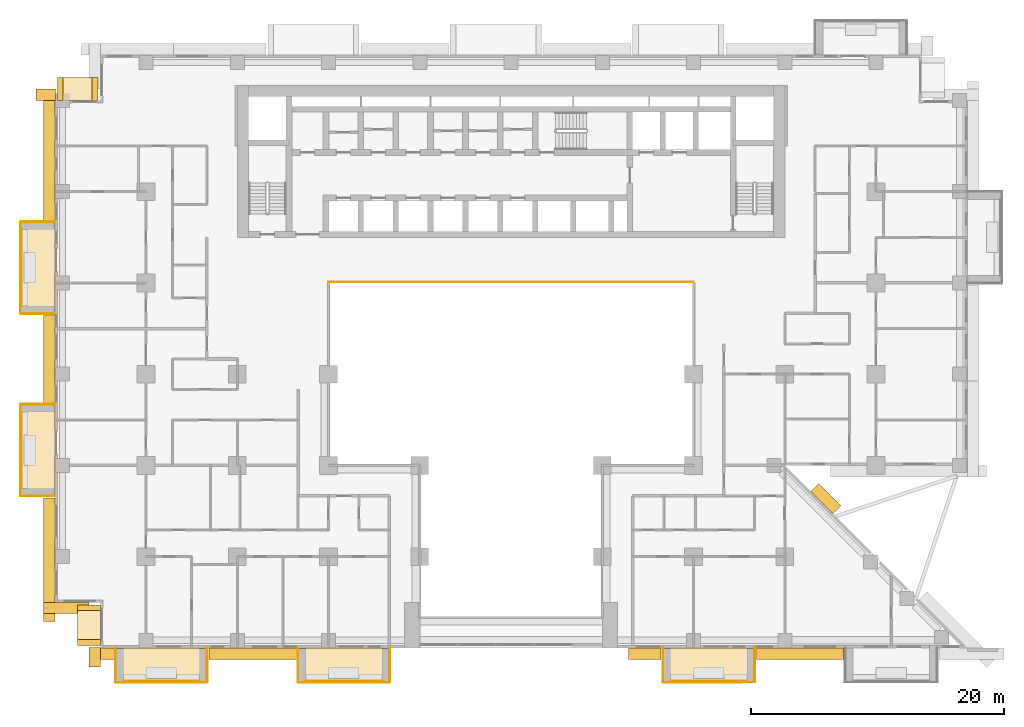
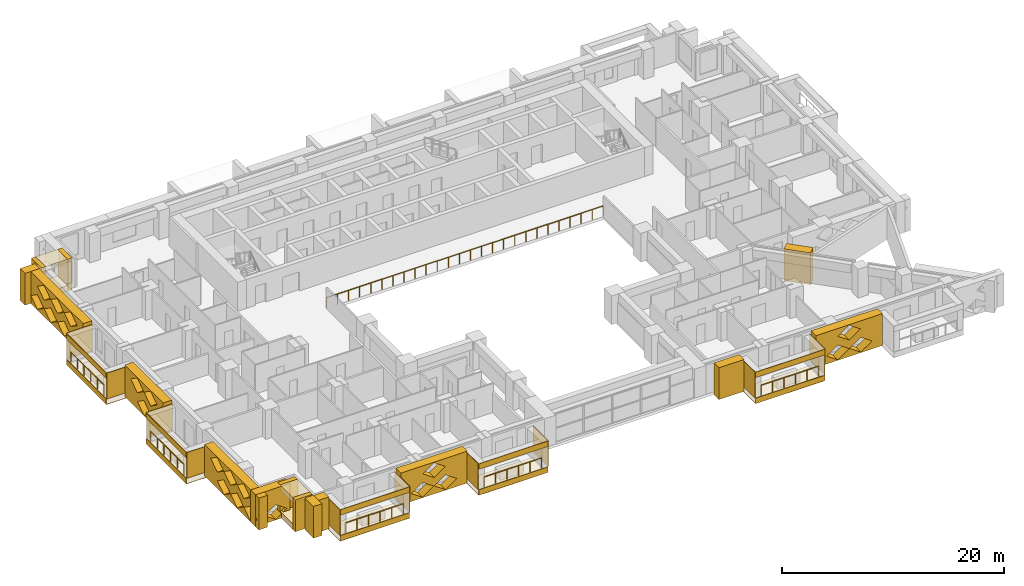
# One storey, part 14 of 17: 44 coverings, 6 railings.
"""IFC4 building model written with IfcOpenShell, lengths in metres."""

from ifc_helpers import new_model, si_unit, direction, frame, origin, origin_2d, place, context, subcontext, project, spatial, polyline, circle, outline, extrude, material, layer, layer_set, type_object, element, save


model = new_model("IFC4")

# Units and contexts
model_context = context("Model", 3, precision=1e-05, world=origin(), true_north=direction((0.0, 1.0)))
body_context = subcontext(model_context, "Body", "Model", "MODEL_VIEW")
ifc_project = project(units=[si_unit("LENGTHUNIT", "METRE"), si_unit("AREAUNIT", "SQUARE_METRE"), si_unit("VOLUMEUNIT", "CUBIC_METRE"), si_unit("PLANEANGLEUNIT", "RADIAN"), si_unit("MASSUNIT", "GRAM", prefix="KILO")], contexts=[model_context])

# Site, building, storey
site_placement = place(None, origin())
site = spatial("IfcSite", under=ifc_project, at=site_placement, CompositionType="ELEMENT")
building_placement = place(site_placement, origin())
building = spatial("IfcBuilding", under=site, at=building_placement, Name="Saffron Iwan Residences", CompositionType="ELEMENT")
storey_placement = place(building_placement, frame((0.0, 0.0, 41.0)))
storey = spatial("IfcBuildingStorey", under=building, at=storey_placement, Name="L09", CompositionType="ELEMENT", Elevation=41.0)

# Railings
ifc_material_1 = material(Name="Stainless steel 316", Category="steel")
railing_type_1 = type_object("IfcRailingType", Name="Atrium guard 1150", PredefinedType="GUARDRAIL", material=ifc_material_1)
railing_placement = place(storey_placement, frame((36.0, 62.47509765625, 0.0)))
element("IfcRailing", 1, at=railing_placement, inside=storey, type_object=railing_type_1, Name="Atrium guard L09", PredefinedType="GUARDRAIL", context=body_context, shape_type="SweptSolid", body=[
    extrude(circle(Radius=0.02392578125, at=origin_2d()), frame((0.0, 0.0, 1.1259765625), z_axis=(1.0, 0.0, 0.0), x_axis=(0.0, 1.0, 0.0)), (0.0, 0.0, 1.0), 28.800048828125),
    extrude(circle(Radius=0.02099609375, at=origin_2d()), origin(), (0.0, 0.0, 1.0), 1.101806640625),
    extrude(circle(Radius=0.02099609375, at=origin_2d()), frame((1.152099609375, 0.0, 0.0)), (0.0, 0.0, 1.0), 1.101806640625),
    extrude(circle(Radius=0.02099609375, at=origin_2d()), frame((2.303955078125, 0.0, 0.0)), (0.0, 0.0, 1.0), 1.101806640625),
    extrude(circle(Radius=0.02099609375, at=origin_2d()), frame((3.4560546875, 0.0, 0.0)), (0.0, 0.0, 1.0), 1.101806640625),
    extrude(circle(Radius=0.02099609375, at=origin_2d()), frame((4.60791015625, 0.0, 0.0)), (0.0, 0.0, 1.0), 1.101806640625),
    extrude(circle(Radius=0.02099609375, at=origin_2d()), frame((5.760009765625, 0.0, 0.0)), (0.0, 0.0, 1.0), 1.101806640625),
    extrude(circle(Radius=0.02099609375, at=origin_2d()), frame((6.912109375, 0.0, 0.0)), (0.0, 0.0, 1.0), 1.101806640625),
    extrude(circle(Radius=0.02099609375, at=origin_2d()), frame((8.06396484375, 0.0, 0.0)), (0.0, 0.0, 1.0), 1.101806640625),
    extrude(circle(Radius=0.02099609375, at=origin_2d()), frame((9.216064453125, 0.0, 0.0)), (0.0, 0.0, 1.0), 1.101806640625),
    extrude(circle(Radius=0.02099609375, at=origin_2d()), frame((10.367919921875, 0.0, 0.0)), (0.0, 0.0, 1.0), 1.101806640625),
    extrude(circle(Radius=0.02099609375, at=origin_2d()), frame((11.52001953125, 0.0, 0.0)), (0.0, 0.0, 1.0), 1.101806640625),
    extrude(circle(Radius=0.02099609375, at=origin_2d()), frame((12.672119140625, 0.0, 0.0)), (0.0, 0.0, 1.0), 1.101806640625),
    extrude(circle(Radius=0.02099609375, at=origin_2d()), frame((13.823974609375, 0.0, 0.0)), (0.0, 0.0, 1.0), 1.101806640625),
    extrude(circle(Radius=0.02099609375, at=origin_2d()), frame((14.97607421875, 0.0, 0.0)), (0.0, 0.0, 1.0), 1.101806640625),
    extrude(circle(Radius=0.02099609375, at=origin_2d()), frame((16.1279296875, 0.0, 0.0)), (0.0, 0.0, 1.0), 1.101806640625),
    extrude(circle(Radius=0.02099609375, at=origin_2d()), frame((17.280029296875, 0.0, 0.0)), (0.0, 0.0, 1.0), 1.101806640625),
    extrude(circle(Radius=0.02099609375, at=origin_2d()), frame((18.43212890625, 0.0, 0.0)), (0.0, 0.0, 1.0), 1.101806640625),
    extrude(circle(Radius=0.02099609375, at=origin_2d()), frame((19.583984375, 0.0, 0.0)), (0.0, 0.0, 1.0), 1.101806640625),
    extrude(circle(Radius=0.02099609375, at=origin_2d()), frame((20.736083984375, 0.0, 0.0)), (0.0, 0.0, 1.0), 1.101806640625),
    extrude(circle(Radius=0.02099609375, at=origin_2d()), frame((21.887939453125, 0.0, 0.0)), (0.0, 0.0, 1.0), 1.101806640625),
    extrude(circle(Radius=0.02099609375, at=origin_2d()), frame((23.0400390625, 0.0, 0.0)), (0.0, 0.0, 1.0), 1.101806640625),
    extrude(circle(Radius=0.02099609375, at=origin_2d()), frame((24.192138671875, 0.0, 0.0)), (0.0, 0.0, 1.0), 1.101806640625),
    extrude(circle(Radius=0.02099609375, at=origin_2d()), frame((25.343994140625, 0.0, 0.0)), (0.0, 0.0, 1.0), 1.101806640625),
    extrude(circle(Radius=0.02099609375, at=origin_2d()), frame((26.49609375, 0.0, 0.0)), (0.0, 0.0, 1.0), 1.101806640625),
    extrude(circle(Radius=0.02099609375, at=origin_2d()), frame((27.64794921875, 0.0, 0.0)), (0.0, 0.0, 1.0), 1.101806640625),
    extrude(circle(Radius=0.02099609375, at=origin_2d()), frame((28.800048828125, 0.0, 0.0)), (0.0, 0.0, 1.0), 1.101806640625),
])
railing_type_2 = type_object("IfcRailingType", Name="BALCONY GUARD 1150", PredefinedType="GUARDRAIL", material=ifc_material_1)
for number, where, name in (
    (2, (11.77490234375, 66.60009765625, 0.0), "Balcony guard L09 F8-0"),
    (3, (11.77490234375, 52.199951171875, 0.0), "Balcony guard L09 F8-1"),
):
    element("IfcRailing", number, at=place(storey_placement, frame(where)), inside=storey, type_object=railing_type_2, Name=name, PredefinedType="GUARDRAIL", context=body_context, shape_type="SweptSolid", body=[
        extrude(circle(Radius=0.02392578125, at=origin_2d()), frame((0.0, 0.0, 1.1259765625), z_axis=(0.0, -1.0, 0.0), x_axis=(1.0, 0.0, 0.0)), (0.0, 0.0, 1.0), 6.0),
        extrude(circle(Radius=0.02099609375, at=origin_2d()), origin(), (0.0, 0.0, 1.0), 1.101806640625),
        extrude(circle(Radius=0.02099609375, at=origin_2d()), frame((0.0, -1.199951171875, 0.0)), (0.0, 0.0, 1.0), 1.101806640625),
        extrude(circle(Radius=0.02099609375, at=origin_2d()), frame((0.0, -2.39990234375, 0.0)), (0.0, 0.0, 1.0), 1.101806640625),
        extrude(circle(Radius=0.02099609375, at=origin_2d()), frame((0.0, -3.60009765625, 0.0)), (0.0, 0.0, 1.0), 1.101806640625),
        extrude(circle(Radius=0.02099609375, at=origin_2d()), frame((0.0, -4.800048828125, 0.0)), (0.0, 0.0, 1.0), 1.101806640625),
        extrude(circle(Radius=0.02099609375, at=origin_2d()), frame((0.0, -6.0, 0.0)), (0.0, 0.0, 1.0), 1.101806640625),
    ])
for number, where, name in (
    (4, (19.800048828125, 30.97509765625, 0.0), "Balcony guard L09 11-0"),
    (5, (34.199951171875, 30.97509765625, 0.0), "Balcony guard L09 11-1"),
    (6, (63.0, 30.97509765625, 0.0), "Balcony guard L09 11-2"),
):
    element("IfcRailing", number, at=place(storey_placement, frame(where)), inside=storey, type_object=railing_type_2, Name=name, PredefinedType="GUARDRAIL", context=body_context, shape_type="SweptSolid", body=[
        extrude(circle(Radius=0.02392578125, at=origin_2d()), frame((0.0, 0.0, 1.1259765625), z_axis=(1.0, 0.0, 0.0), x_axis=(0.0, 1.0, 0.0)), (0.0, 0.0, 1.0), 6.0),
        extrude(circle(Radius=0.02099609375, at=origin_2d()), origin(), (0.0, 0.0, 1.0), 1.101806640625),
        extrude(circle(Radius=0.02099609375, at=origin_2d()), frame((1.199951171875, 0.0, 0.0)), (0.0, 0.0, 1.0), 1.101806640625),
        extrude(circle(Radius=0.02099609375, at=origin_2d()), frame((2.39990234375, 0.0, 0.0)), (0.0, 0.0, 1.0), 1.101806640625),
        extrude(circle(Radius=0.02099609375, at=origin_2d()), frame((3.60009765625, 0.0, 0.0)), (0.0, 0.0, 1.0), 1.101806640625),
        extrude(circle(Radius=0.02099609375, at=origin_2d()), frame((4.800048828125, 0.0, 0.0)), (0.0, 0.0, 1.0), 1.101806640625),
        extrude(circle(Radius=0.02099609375, at=origin_2d()), frame((6.0, 0.0, 0.0)), (0.0, 0.0, 1.0), 1.101806640625),
    ])

# Coverings
ifc_material_2 = material(Name="Precast concrete C40/50 white painted", Category="concrete")
ifc_layer = layer(ifc_material_2, 0.050048828125)
ifc_layer_set = layer_set([ifc_layer], Name="Precast concrete C40/50 white painted")
covering_type_1 = type_object("IfcCoveringType", Name="FRAME SKIN PRECAST WHITE 50", PredefinedType="CLADDING", material=ifc_layer_set)
for number, where, name in (
    (7, (0.0, 0.0, -0.60009765625), "Frame skin slab edge L09 F8-0"),
    (8, (0.0, 0.0, 2.25), "Frame skin fascia L09 F8-0"),
):
    element("IfcCovering", number, at=place(storey_placement, frame(where)), inside=storey, type_object=covering_type_1, Name=name, PredefinedType="CLADDING", context=body_context, shape_type="SweptSolid", body=[
        extrude(outline(polyline([(11.64990234375, 67.199951171875), (11.64990234375, 60.0), (11.699951171875, 60.0), (11.699951171875, 67.199951171875), (11.64990234375, 67.199951171875)])), origin(), (0.0, 0.0, 1.0), 0.60009765625),
    ])
covering_1_placement = place(storey_placement, frame((0.0, 0.0, -0.64990234375)))
element("IfcCovering", 9, at=covering_1_placement, inside=storey, type_object=covering_type_1, Name="Frame skin soffit L09 F8-0", PredefinedType="CLADDING", context=body_context, shape_type="SweptSolid", body=[
    extrude(outline(polyline([(11.699951171875, 67.199951171875), (11.699951171875, 60.0), (14.39990234375, 60.0), (14.39990234375, 67.199951171875), (11.699951171875, 67.199951171875)])), origin(), (0.0, 0.0, 1.0), 0.0498046875),
])
covering_2_placement = place(storey_placement, origin())
element("IfcCovering", 10, at=covering_2_placement, inside=storey, type_object=covering_type_1, Name="Frame skin fin L09 F8-0a", PredefinedType="CLADDING", context=body_context, shape_type="SweptSolid", body=[
    extrude(outline(polyline([(11.699951171875, 67.25), (11.699951171875, 67.199951171875), (14.39990234375, 67.199951171875), (14.39990234375, 67.25), (11.699951171875, 67.25)])), origin(), (0.0, 0.0, 1.0), 2.85009765625),
])
covering_3_placement = place(storey_placement, origin())
element("IfcCovering", 11, at=covering_3_placement, inside=storey, type_object=covering_type_1, Name="Frame skin fin L09 F8-0b", PredefinedType="CLADDING", context=body_context, shape_type="SweptSolid", body=[
    extrude(outline(polyline([(11.699951171875, 60.0), (11.699951171875, 59.949951171875), (14.39990234375, 59.949951171875), (14.39990234375, 60.0), (11.699951171875, 60.0)])), origin(), (0.0, 0.0, 1.0), 2.85009765625),
])
for number, where, name in (
    (12, (0.0, 0.0, -0.60009765625), "Frame skin slab edge L09 F8-1"),
    (13, (0.0, 0.0, 2.25), "Frame skin fascia L09 F8-1"),
):
    element("IfcCovering", number, at=place(storey_placement, frame(where)), inside=storey, type_object=covering_type_1, Name=name, PredefinedType="CLADDING", context=body_context, shape_type="SweptSolid", body=[
        extrude(outline(polyline([(11.64990234375, 52.800048828125), (11.64990234375, 45.60009765625), (11.699951171875, 45.60009765625), (11.699951171875, 52.800048828125), (11.64990234375, 52.800048828125)])), origin(), (0.0, 0.0, 1.0), 0.60009765625),
    ])
covering_4_placement = place(storey_placement, frame((0.0, 0.0, -0.64990234375)))
element("IfcCovering", 14, at=covering_4_placement, inside=storey, type_object=covering_type_1, Name="Frame skin soffit L09 F8-1", PredefinedType="CLADDING", context=body_context, shape_type="SweptSolid", body=[
    extrude(outline(polyline([(11.699951171875, 52.800048828125), (11.699951171875, 45.60009765625), (14.39990234375, 45.60009765625), (14.39990234375, 52.800048828125), (11.699951171875, 52.800048828125)])), origin(), (0.0, 0.0, 1.0), 0.0498046875),
])
covering_5_placement = place(storey_placement, origin())
element("IfcCovering", 15, at=covering_5_placement, inside=storey, type_object=covering_type_1, Name="Frame skin fin L09 F8-1a", PredefinedType="CLADDING", context=body_context, shape_type="SweptSolid", body=[
    extrude(outline(polyline([(11.699951171875, 52.85009765625), (11.699951171875, 52.800048828125), (14.39990234375, 52.800048828125), (14.39990234375, 52.85009765625), (11.699951171875, 52.85009765625)])), origin(), (0.0, 0.0, 1.0), 2.85009765625),
])
covering_6_placement = place(storey_placement, origin())
element("IfcCovering", 16, at=covering_6_placement, inside=storey, type_object=covering_type_1, Name="Frame skin fin L09 F8-1b", PredefinedType="CLADDING", context=body_context, shape_type="SweptSolid", body=[
    extrude(outline(polyline([(11.699951171875, 45.60009765625), (11.699951171875, 45.550048828125), (14.39990234375, 45.550048828125), (14.39990234375, 45.60009765625), (11.699951171875, 45.60009765625)])), origin(), (0.0, 0.0, 1.0), 2.85009765625),
])
for number, where, name in (
    (17, (0.0, 0.0, -0.60009765625), "Frame skin slab edge L09 11-0"),
    (18, (0.0, 0.0, 2.25), "Frame skin fascia L09 11-0"),
):
    element("IfcCovering", number, at=place(storey_placement, frame(where)), inside=storey, type_object=covering_type_1, Name=name, PredefinedType="CLADDING", context=body_context, shape_type="SweptSolid", body=[
        extrude(outline(polyline([(19.199951171875, 30.85009765625), (26.39990234375, 30.85009765625), (26.39990234375, 30.89990234375), (19.199951171875, 30.89990234375), (19.199951171875, 30.85009765625)])), origin(), (0.0, 0.0, 1.0), 0.60009765625),
    ])
covering_7_placement = place(storey_placement, frame((0.0, 0.0, -0.64990234375)))
element("IfcCovering", 19, at=covering_7_placement, inside=storey, type_object=covering_type_1, Name="Frame skin soffit L09 11-0", PredefinedType="CLADDING", context=body_context, shape_type="SweptSolid", body=[
    extrude(outline(polyline([(19.199951171875, 30.89990234375), (26.39990234375, 30.89990234375), (26.39990234375, 33.60009765625), (19.199951171875, 33.60009765625), (19.199951171875, 30.89990234375)])), origin(), (0.0, 0.0, 1.0), 0.0498046875),
])
covering_8_placement = place(storey_placement, origin())
element("IfcCovering", 20, at=covering_8_placement, inside=storey, type_object=covering_type_1, Name="Frame skin fin L09 11-0a", PredefinedType="CLADDING", context=body_context, shape_type="SweptSolid", body=[
    extrude(outline(polyline([(19.14990234375, 30.89990234375), (19.199951171875, 30.89990234375), (19.199951171875, 33.60009765625), (19.14990234375, 33.60009765625), (19.14990234375, 30.89990234375)])), origin(), (0.0, 0.0, 1.0), 2.85009765625),
])
covering_9_placement = place(storey_placement, origin())
element("IfcCovering", 21, at=covering_9_placement, inside=storey, type_object=covering_type_1, Name="Frame skin fin L09 11-0b", PredefinedType="CLADDING", context=body_context, shape_type="SweptSolid", body=[
    extrude(outline(polyline([(26.39990234375, 30.89990234375), (26.449951171875, 30.89990234375), (26.449951171875, 33.60009765625), (26.39990234375, 33.60009765625), (26.39990234375, 30.89990234375)])), origin(), (0.0, 0.0, 1.0), 2.85009765625),
])
for number, where, name in (
    (22, (0.0, 0.0, -0.60009765625), "Frame skin slab edge L09 11-1"),
    (23, (0.0, 0.0, 2.25), "Frame skin fascia L09 11-1"),
):
    element("IfcCovering", number, at=place(storey_placement, frame(where)), inside=storey, type_object=covering_type_1, Name=name, PredefinedType="CLADDING", context=body_context, shape_type="SweptSolid", body=[
        extrude(outline(polyline([(33.60009765625, 30.85009765625), (40.800048828125, 30.85009765625), (40.800048828125, 30.89990234375), (33.60009765625, 30.89990234375), (33.60009765625, 30.85009765625)])), origin(), (0.0, 0.0, 1.0), 0.60009765625),
    ])
covering_10_placement = place(storey_placement, frame((0.0, 0.0, -0.64990234375)))
element("IfcCovering", 24, at=covering_10_placement, inside=storey, type_object=covering_type_1, Name="Frame skin soffit L09 11-1", PredefinedType="CLADDING", context=body_context, shape_type="SweptSolid", body=[
    extrude(outline(polyline([(33.60009765625, 30.89990234375), (40.800048828125, 30.89990234375), (40.800048828125, 33.60009765625), (33.60009765625, 33.60009765625), (33.60009765625, 30.89990234375)])), origin(), (0.0, 0.0, 1.0), 0.0498046875),
])
covering_11_placement = place(storey_placement, origin())
element("IfcCovering", 25, at=covering_11_placement, inside=storey, type_object=covering_type_1, Name="Frame skin fin L09 11-1a", PredefinedType="CLADDING", context=body_context, shape_type="SweptSolid", body=[
    extrude(outline(polyline([(33.550048828125, 30.89990234375), (33.60009765625, 30.89990234375), (33.60009765625, 33.60009765625), (33.550048828125, 33.60009765625), (33.550048828125, 30.89990234375)])), origin(), (0.0, 0.0, 1.0), 2.85009765625),
])
covering_12_placement = place(storey_placement, origin())
element("IfcCovering", 26, at=covering_12_placement, inside=storey, type_object=covering_type_1, Name="Frame skin fin L09 11-1b", PredefinedType="CLADDING", context=body_context, shape_type="SweptSolid", body=[
    extrude(outline(polyline([(40.800048828125, 30.89990234375), (40.85009765625, 30.89990234375), (40.85009765625, 33.60009765625), (40.800048828125, 33.60009765625), (40.800048828125, 30.89990234375)])), origin(), (0.0, 0.0, 1.0), 2.85009765625),
])
for number, where, name in (
    (27, (0.0, 0.0, -0.60009765625), "Frame skin slab edge L09 11-2"),
    (28, (0.0, 0.0, 2.25), "Frame skin fascia L09 11-2"),
):
    element("IfcCovering", number, at=place(storey_placement, frame(where)), inside=storey, type_object=covering_type_1, Name=name, PredefinedType="CLADDING", context=body_context, shape_type="SweptSolid", body=[
        extrude(outline(polyline([(62.39990234375, 30.85009765625), (69.60009765625, 30.85009765625), (69.60009765625, 30.89990234375), (62.39990234375, 30.89990234375), (62.39990234375, 30.85009765625)])), origin(), (0.0, 0.0, 1.0), 0.60009765625),
    ])
covering_13_placement = place(storey_placement, frame((0.0, 0.0, -0.64990234375)))
element("IfcCovering", 29, at=covering_13_placement, inside=storey, type_object=covering_type_1, Name="Frame skin soffit L09 11-2", PredefinedType="CLADDING", context=body_context, shape_type="SweptSolid", body=[
    extrude(outline(polyline([(62.39990234375, 30.89990234375), (69.60009765625, 30.89990234375), (69.60009765625, 33.60009765625), (62.39990234375, 33.60009765625), (62.39990234375, 30.89990234375)])), origin(), (0.0, 0.0, 1.0), 0.0498046875),
])
covering_14_placement = place(storey_placement, origin())
element("IfcCovering", 30, at=covering_14_placement, inside=storey, type_object=covering_type_1, Name="Frame skin fin L09 11-2a", PredefinedType="CLADDING", context=body_context, shape_type="SweptSolid", body=[
    extrude(outline(polyline([(62.35009765625, 30.89990234375), (62.39990234375, 30.89990234375), (62.39990234375, 33.60009765625), (62.35009765625, 33.60009765625), (62.35009765625, 30.89990234375)])), origin(), (0.0, 0.0, 1.0), 2.85009765625),
])
covering_15_placement = place(storey_placement, origin())
element("IfcCovering", 31, at=covering_15_placement, inside=storey, type_object=covering_type_1, Name="Frame skin fin L09 11-2b", PredefinedType="CLADDING", context=body_context, shape_type="SweptSolid", body=[
    extrude(outline(polyline([(69.60009765625, 30.89990234375), (69.64990234375, 30.89990234375), (69.64990234375, 33.60009765625), (69.60009765625, 33.60009765625), (69.60009765625, 30.89990234375)])), origin(), (0.0, 0.0, 1.0), 2.85009765625),
])
ifc_material_3 = material(Name="Precast concrete C40/50", Category="concrete")
covering_type_2 = type_object("IfcCoveringType", Name="OUTER SKIN LATTICE SCREEN", PredefinedType="CLADDING", material=ifc_material_3)
covering_16_placement = place(storey_placement, frame((75.805908203125, 44.194091796875, -0.320068359375), z_axis=(0.707106781187, 0.707106781187, 0.0), x_axis=(-0.707106781187, 0.707106781187, 0.0)))
element("IfcCovering", 32, at=covering_16_placement, inside=storey, type_object=covering_type_2, Name="OUTER SKIN lattice screen L09 F0.1", PredefinedType="CLADDING", context=body_context, shape_type="SweptSolid", body=[
    extrude(outline(polyline([(0.0, 0.0), (2.4853515625, 0.0), (2.4853515625, 3.5), (0.0, 3.5), (0.0, 0.0)])), origin(), (0.0, 0.0, 1.0), 0.900146484375),
])
covering_17_placement = place(storey_placement, frame((14.449951171875, 76.800048828125, -0.320068359375), z_axis=(0.0, 1.0, 0.0), x_axis=(-1.0, 0.0, 0.0)))
element("IfcCovering", 33, at=covering_17_placement, inside=storey, type_object=covering_type_2, Name="OUTER SKIN lattice screen L09 F7.0", PredefinedType="CLADDING", context=body_context, shape_type="SweptSolid", body=[
    extrude(outline(polyline([(0.0, 0.0), (1.550048828125, 0.0), (1.550048828125, 3.5), (0.0, 3.5), (0.0, 0.0)])), origin(), (0.0, 0.0, 1.0), 0.89990234375),
])
covering_18_placement = place(storey_placement, frame((14.39990234375, 77.699951171875, -0.320068359375), z_axis=(-1.0, 0.0, 0.0), x_axis=(0.0, -1.0, 0.0)))
element("IfcCovering", 34, at=covering_18_placement, inside=storey, type_object=covering_type_2, Name="OUTER SKIN lattice screen L09 F8.0", PredefinedType="CLADDING", context=body_context, shape_type="SweptSolid", body=[
    extrude(outline(polyline([(0.0, 0.0), (10.35009765625, 0.0), (10.35009765625, 3.5), (0.0, 3.5), (0.0, 0.0)]), holes=[polyline([(0.919921875, 0.875), (2.10009765625, 0.06005859375), (3.280029296875, 0.875), (2.10009765625, 1.68994140625), (0.919921875, 0.875)]), polyline([(3.320068359375, 0.875), (4.5, 0.06005859375), (5.679931640625, 0.875), (4.5, 1.68994140625), (3.320068359375, 0.875)]), polyline([(5.719970703125, 0.875), (6.89990234375, 0.06005859375), (8.080078125, 0.875), (6.89990234375, 1.68994140625), (5.719970703125, 0.875)]), polyline([(2.1201171875, 2.625), (3.300048828125, 1.81005859375), (4.47998046875, 2.625), (3.300048828125, 3.43994140625), (2.1201171875, 2.625)]), polyline([(4.52001953125, 2.625), (5.699951171875, 1.81005859375), (6.8798828125, 2.625), (5.699951171875, 3.43994140625), (4.52001953125, 2.625)]), polyline([(6.919921875, 2.625), (8.10009765625, 1.81005859375), (9.280029296875, 2.625), (8.10009765625, 3.43994140625), (6.919921875, 2.625)])]), origin(), (0.0, 0.0, 1.0), 0.89990234375),
])
covering_19_placement = place(storey_placement, frame((14.39990234375, 59.85009765625, -0.320068359375), z_axis=(-1.0, 0.0, 0.0), x_axis=(0.0, -1.0, 0.0)))
element("IfcCovering", 35, at=covering_19_placement, inside=storey, type_object=covering_type_2, Name="OUTER SKIN lattice screen L09 F8.1", PredefinedType="CLADDING", context=body_context, shape_type="SweptSolid", body=[
    extrude(outline(polyline([(0.0, 0.0), (6.89990234375, 0.0), (6.89990234375, 3.5), (0.0, 3.5), (0.0, 0.0)]), holes=[polyline([(2.27001953125, 0.875), (3.449951171875, 0.06005859375), (4.6298828125, 0.875), (3.449951171875, 1.68994140625), (2.27001953125, 0.875)]), polyline([(1.070068359375, 2.625), (2.25, 1.81005859375), (3.429931640625, 2.625), (2.25, 3.43994140625), (1.070068359375, 2.625)]), polyline([(3.469970703125, 2.625), (4.64990234375, 1.81005859375), (5.830078125, 2.625), (4.64990234375, 3.43994140625), (3.469970703125, 2.625)])]), origin(), (0.0, 0.0, 1.0), 0.89990234375),
])
covering_20_placement = place(storey_placement, frame((14.39990234375, 45.449951171875, -0.320068359375), z_axis=(-1.0, 0.0, 0.0), x_axis=(0.0, -1.0, 0.0)))
element("IfcCovering", 36, at=covering_20_placement, inside=storey, type_object=covering_type_2, Name="OUTER SKIN lattice screen L09 F8.2", PredefinedType="CLADDING", context=body_context, shape_type="SweptSolid", body=[
    extrude(outline(polyline([(0.0, 0.0), (9.75, 0.0), (9.75, 3.5), (0.0, 3.5), (0.0, 0.0)]), holes=[polyline([(2.27001953125, 0.875), (3.449951171875, 0.06005859375), (4.6298828125, 0.875), (3.449951171875, 1.68994140625), (2.27001953125, 0.875)]), polyline([(4.669921875, 0.875), (5.85009765625, 0.06005859375), (7.030029296875, 0.875), (5.85009765625, 1.68994140625), (4.669921875, 0.875)]), polyline([(7.070068359375, 0.875), (8.25, 0.06005859375), (9.429931640625, 0.875), (8.25, 1.68994140625), (7.070068359375, 0.875)]), polyline([(1.070068359375, 2.625), (2.25, 1.81005859375), (3.429931640625, 2.625), (2.25, 3.43994140625), (1.070068359375, 2.625)]), polyline([(3.469970703125, 2.625), (4.64990234375, 1.81005859375), (5.830078125, 2.625), (4.64990234375, 3.43994140625), (3.469970703125, 2.625)]), polyline([(5.8701171875, 2.625), (7.050048828125, 1.81005859375), (8.22998046875, 2.625), (7.050048828125, 3.43994140625), (5.8701171875, 2.625)])]), origin(), (0.0, 0.0, 1.0), 0.89990234375),
])
covering_21_placement = place(storey_placement, frame((13.5, 37.199951171875, -0.320068359375), z_axis=(0.0, -1.0, 0.0), x_axis=(1.0, 0.0, 0.0)))
element("IfcCovering", 37, at=covering_21_placement, inside=storey, type_object=covering_type_2, Name="OUTER SKIN lattice screen L09 F9.0", PredefinedType="CLADDING", context=body_context, shape_type="SweptSolid", body=[
    extrude(outline(polyline([(0.0, 0.0), (3.60009765625, 0.0), (3.60009765625, 3.5), (0.0, 3.5), (0.0, 0.0)]), holes=[polyline([(0.919921875, 0.875), (2.10009765625, 0.06005859375), (3.280029296875, 0.875), (2.10009765625, 1.68994140625), (0.919921875, 0.875)])]), origin(), (0.0, 0.0, 1.0), 0.89990234375),
])
covering_22_placement = place(storey_placement, frame((18.0, 33.64990234375, -0.320068359375), z_axis=(-1.0, 0.0, 0.0), x_axis=(0.0, -1.0, 0.0)))
element("IfcCovering", 38, at=covering_22_placement, inside=storey, type_object=covering_type_2, Name="OUTER SKIN lattice screen L09 F10.0", PredefinedType="CLADDING", context=body_context, shape_type="SweptSolid", body=[
    extrude(outline(polyline([(0.0, 0.0), (1.550048828125, 0.0), (1.550048828125, 3.5), (0.0, 3.5), (0.0, 0.0)])), origin(), (0.0, 0.0, 1.0), 0.89990234375),
])
covering_23_placement = place(storey_placement, frame((17.10009765625, 33.60009765625, -0.320068359375), z_axis=(0.0, -1.0, 0.0), x_axis=(1.0, 0.0, 0.0)))
element("IfcCovering", 39, at=covering_23_placement, inside=storey, type_object=covering_type_2, Name="OUTER SKIN lattice screen L09 F11.0", PredefinedType="CLADDING", context=body_context, shape_type="SweptSolid", body=[
    extrude(outline(polyline([(0.0, 0.0), (1.949951171875, 0.0), (1.949951171875, 3.5), (0.0, 3.5), (0.0, 0.0)])), origin(), (0.0, 0.0, 1.0), 0.900146484375),
])
covering_24_placement = place(storey_placement, frame((26.550048828125, 33.60009765625, -0.320068359375), z_axis=(0.0, -1.0, 0.0), x_axis=(1.0, 0.0, 0.0)))
element("IfcCovering", 40, at=covering_24_placement, inside=storey, type_object=covering_type_2, Name="OUTER SKIN lattice screen L09 F11.1", PredefinedType="CLADDING", context=body_context, shape_type="SweptSolid", body=[
    extrude(outline(polyline([(0.0, 0.0), (6.89990234375, 0.0), (6.89990234375, 3.5), (0.0, 3.5), (0.0, 0.0)]), holes=[polyline([(1.070068359375, 0.875), (2.25, 0.06005859375), (3.429931640625, 0.875), (2.25, 1.68994140625), (1.070068359375, 0.875)]), polyline([(3.469970703125, 0.875), (4.64990234375, 0.06005859375), (5.830078125, 0.875), (4.64990234375, 1.68994140625), (3.469970703125, 0.875)]), polyline([(2.27001953125, 2.625), (3.449951171875, 1.81005859375), (4.6298828125, 2.625), (3.449951171875, 3.43994140625), (2.27001953125, 2.625)])]), origin(), (0.0, 0.0, 1.0), 0.900146484375),
])
covering_25_placement = place(storey_placement, frame((59.64990234375, 33.60009765625, -0.320068359375), z_axis=(0.0, -1.0, 0.0), x_axis=(1.0, 0.0, 0.0)))
element("IfcCovering", 41, at=covering_25_placement, inside=storey, type_object=covering_type_2, Name="OUTER SKIN lattice screen L09 F11.2", PredefinedType="CLADDING", context=body_context, shape_type="SweptSolid", body=[
    extrude(outline(polyline([(0.0, 0.0), (2.60009765625, 0.0), (2.60009765625, 3.5), (0.0, 3.5), (0.0, 0.0)])), origin(), (0.0, 0.0, 1.0), 0.900146484375),
])
covering_26_placement = place(storey_placement, frame((69.75, 33.60009765625, -0.320068359375), z_axis=(0.0, -1.0, 0.0), x_axis=(1.0, 0.0, 0.0)))
element("IfcCovering", 42, at=covering_26_placement, inside=storey, type_object=covering_type_2, Name="OUTER SKIN lattice screen L09 F11.3", PredefinedType="CLADDING", context=body_context, shape_type="SweptSolid", body=[
    extrude(outline(polyline([(0.0, 0.0), (6.89990234375, 0.0), (6.89990234375, 3.5), (0.0, 3.5), (0.0, 0.0)]), holes=[polyline([(1.070068359375, 0.875), (2.25, 0.06005859375), (3.429931640625, 0.875), (2.25, 1.68994140625), (1.070068359375, 0.875)]), polyline([(3.469970703125, 0.875), (4.64990234375, 0.06005859375), (5.830078125, 0.875), (4.64990234375, 1.68994140625), (3.469970703125, 0.875)]), polyline([(2.27001953125, 2.625), (3.449951171875, 1.81005859375), (4.6298828125, 2.625), (3.449951171875, 3.43994140625), (2.27001953125, 2.625)])]), origin(), (0.0, 0.0, 1.0), 0.900146484375),
])
covering_type_3 = type_object("IfcCoveringType", Name="WHITE SUN FRAME PRECAST", PredefinedType="CLADDING", material=ifc_material_2)
for number, where, z_axis, x_axis, name in (
    (43, (17.800048828125, 76.800048828125, -0.320068359375), (0.0, 1.0, 0.0), (-1.0, 0.0, 0.0), "Sun frame L09 F7 0.2a"),
    (44, (15.050048828125, 76.800048828125, -0.320068359375), (0.0, 1.0, 0.0), (-1.0, 0.0, 0.0), "Sun frame L09 F7 0.2b"),
):
    element("IfcCovering", number, at=place(storey_placement, frame(where, z_axis=z_axis, x_axis=x_axis)), inside=storey, type_object=covering_type_3, Name=name, PredefinedType="CLADDING", context=body_context, shape_type="SweptSolid", body=[
        extrude(outline(polyline([(0.0, 0.0), (0.449951171875, 0.0), (0.449951171875, 3.5), (0.0, 3.5), (0.0, 0.0)])), origin(), (0.0, 0.0, 1.0), 1.800048828125),
    ])
for number, where, z_axis, x_axis, name in (
    (45, (17.35009765625, 76.800048828125, 2.580078125), (0.0, 1.0, 0.0), (-1.0, 0.0, 0.0), "Sun frame L09 F7 0.2h"),
    (46, (17.35009765625, 76.800048828125, -0.320068359375), (0.0, 1.0, 0.0), (-1.0, 0.0, 0.0), "Sun frame L09 F7 0.2s"),
):
    element("IfcCovering", number, at=place(storey_placement, frame(where, z_axis=z_axis, x_axis=x_axis)), inside=storey, type_object=covering_type_3, Name=name, PredefinedType="CLADDING", context=body_context, shape_type="SweptSolid", body=[
        extrude(outline(polyline([(0.0, 0.0), (2.300048828125, 0.0), (2.300048828125, 0.60009765625), (0.0, 0.60009765625), (0.0, 0.0)])), origin(), (0.0, 0.0, 1.0), 1.800048828125),
    ])
for number, where, z_axis, x_axis, name in (
    (47, (18.0, 37.0, -0.320068359375), (-1.0, 0.0, 0.0), (0.0, -1.0, 0.0), "Sun frame L09 F10 0.2a"),
    (48, (18.0, 34.25, -0.320068359375), (-1.0, 0.0, 0.0), (0.0, -1.0, 0.0), "Sun frame L09 F10 0.2b"),
):
    element("IfcCovering", number, at=place(storey_placement, frame(where, z_axis=z_axis, x_axis=x_axis)), inside=storey, type_object=covering_type_3, Name=name, PredefinedType="CLADDING", context=body_context, shape_type="SweptSolid", body=[
        extrude(outline(polyline([(0.0, 0.0), (0.449951171875, 0.0), (0.449951171875, 3.5), (0.0, 3.5), (0.0, 0.0)])), origin(), (0.0, 0.0, 1.0), 1.800048828125),
    ])
for number, where, z_axis, x_axis, name in (
    (49, (18.0, 36.550048828125, 2.580078125), (-1.0, 0.0, 0.0), (0.0, -1.0, 0.0), "Sun frame L09 F10 0.2h"),
    (50, (18.0, 36.550048828125, -0.320068359375), (-1.0, 0.0, 0.0), (0.0, -1.0, 0.0), "Sun frame L09 F10 0.2s"),
):
    element("IfcCovering", number, at=place(storey_placement, frame(where, z_axis=z_axis, x_axis=x_axis)), inside=storey, type_object=covering_type_3, Name=name, PredefinedType="CLADDING", context=body_context, shape_type="SweptSolid", body=[
        extrude(outline(polyline([(0.0, 0.0), (2.300048828125, 0.0), (2.300048828125, 0.60009765625), (0.0, 0.60009765625), (0.0, 0.0)])), origin(), (0.0, 0.0, 1.0), 1.800048828125),
    ])

save(model, "model.ifc")
